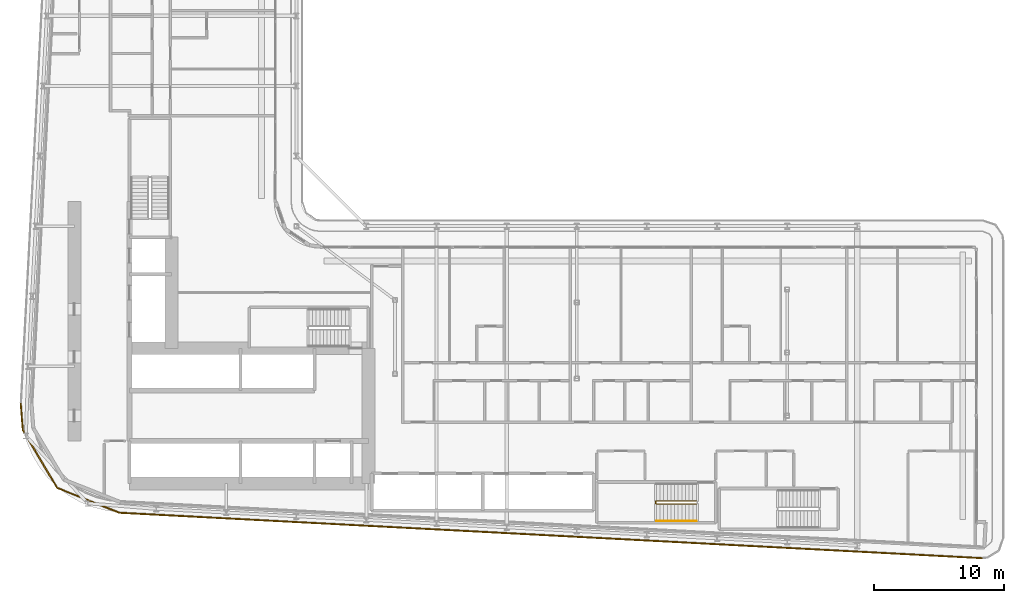
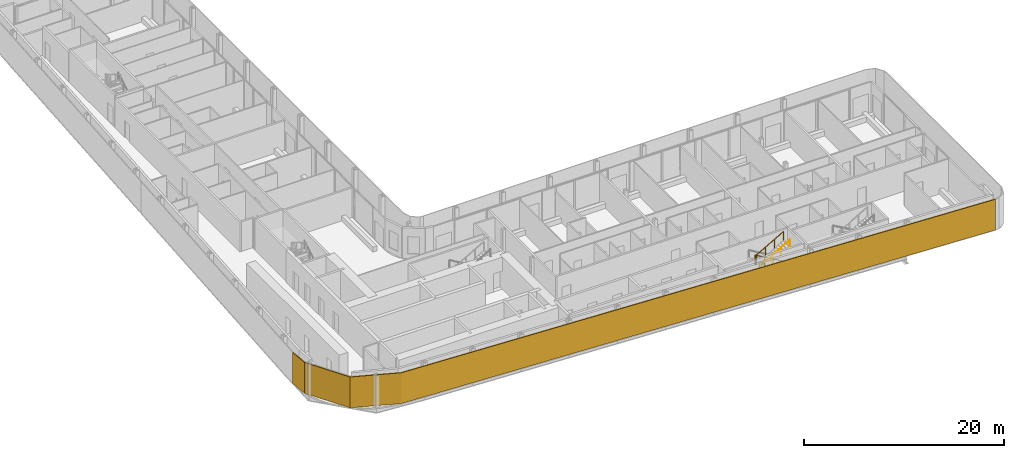
# One storey, part 23 of 27: 2 railings, 1 shading device.
"""IFC4 building model written with IfcOpenShell, lengths in metres."""

from ifc_helpers import new_model, si_unit, direction, frame, origin, origin_2d, place, context, subcontext, project, spatial, polyline, circle, outline, extrude, material, layer, layer_set, type_object, element, save


model = new_model("IFC4")

# Units and contexts
model_context = context("Model", 3, precision=1e-05, world=origin(), true_north=direction((0.0, 1.0)))
body_context = subcontext(model_context, "Body", "Model", "MODEL_VIEW")
ifc_project = project(units=[si_unit("LENGTHUNIT", "METRE"), si_unit("AREAUNIT", "SQUARE_METRE"), si_unit("VOLUMEUNIT", "CUBIC_METRE"), si_unit("PLANEANGLEUNIT", "RADIAN"), si_unit("MASSUNIT", "GRAM", prefix="KILO")], contexts=[model_context])

# Site, building, storey
site_placement = place(None, origin())
site = spatial("IfcSite", under=ifc_project, at=site_placement, CompositionType="ELEMENT")
building_placement = place(site_placement, origin())
building = spatial("IfcBuilding", under=site, at=building_placement, Name="Kheshtan School and Residences Tower", CompositionType="ELEMENT")
storey_placement = place(building_placement, frame((0.0, 0.0, 53.89990234375)))
storey = spatial("IfcBuildingStorey", under=building, at=storey_placement, Name="L12", CompositionType="ELEMENT", Elevation=53.89990234375)

# Shading device
ifc_material_1 = material(Name="Terracotta baguette, extruded ceramic", Category="masonry")
ifc_layer = layer(ifc_material_1, 0.10009765625)
ifc_layer_set = layer_set([ifc_layer], Name="Ledge screen, terracotta baguettes")
shading_device_type = type_object("IfcShadingDeviceType", Name="Ledge screen, terracotta baguettes", PredefinedType="USERDEFINED", material=ifc_layer_set)
shading_device_placement = place(storey_placement, origin())
element("IfcShadingDevice", 1, at=shading_device_placement, inside=storey, type_object=shading_device_type, Name="Screen L12 3", ObjectType="BAGUETTE", PredefinedType="USERDEFINED", context=body_context, shape_type="SweptSolid", body=[
    extrude(outline(polyline([(100.4208984375, 20.0830078125), (33.989013671875, 23.580078125), (29.2119140625, 25.486083984375), (26.583984375, 29.906982421875), (26.419921875, 31.989013671875), (26.320068359375, 31.98095703125), (26.486083984375, 29.8759765625), (29.14306640625, 25.406005859375), (33.967041015625, 23.48095703125), (100.416015625, 19.98291015625), (100.4208984375, 20.0830078125)])), origin(), (0.0, 0.0, 1.0), 3.75),
])

# Railings
ifc_material_2 = material(Name="Stainless steel balustrade", Category="steel")
railing_type_1 = type_object("IfcRailingType", Name="Stair guard 1100", PredefinedType="GUARDRAIL", material=ifc_material_2)
railing_1_placement = place(storey_placement, frame((78.409912109375, 24.449951171875, 0.16259765625)))
element("IfcRailing", 2, at=railing_1_placement, inside=storey, type_object=railing_type_1, Name="L12 ST5 stair guard 1", PredefinedType="GUARDRAIL", context=body_context, shape_type="SweptSolid", body=[
    extrude(circle(Radius=0.02392578125, at=origin_2d()), frame((0.0, 0.0, 1.076171875), z_axis=(-0.864873446163, 0.0, 0.501989962173), x_axis=(0.0, -1.0, 0.0)), (0.0, 0.0, 1.0), 3.56103515625),
    extrude(circle(Radius=0.02392578125, at=origin_2d()), frame((-3.079833984375, 0.0, 2.86376953125), z_axis=(-0.707106781187, -0.707106781187, 0.0), x_axis=(0.707106781187, -0.707106781187, 0.0)), (0.0, 0.0, 1.0), 0.07080078125),
    extrude(circle(Radius=0.02392578125, at=origin_2d()), frame((-3.1298828125, -0.050048828125, 2.86376953125), z_axis=(0.0, -1.0, 0.0), x_axis=(1.0, 0.0, 0.0)), (0.0, 0.0, 1.0), 0.14990234375),
    extrude(circle(Radius=0.02392578125, at=origin_2d()), frame((-3.1298828125, -0.199951171875, 2.86376953125), z_axis=(0.282583949758, -0.282583949758, 0.916674763849), x_axis=(0.707106781187, 0.707106781187, 0.0)), (0.0, 0.0, 1.0), 0.177001953125),
    extrude(circle(Radius=0.02392578125, at=origin_2d()), frame((-3.079833984375, -0.25, 3.02587890625), z_axis=(0.864873446163, 0.0, 0.501989962173), x_axis=(0.0, 1.0, 0.0)), (0.0, 0.0, 1.0), 3.56103515625),
    extrude(circle(Radius=0.02099609375, at=origin_2d()), origin(), (0.0, 0.0, 1.0), 1.052001953125),
    extrude(circle(Radius=0.02099609375, at=origin_2d()), frame((-1.026611328125, 0.0, 0.595947265625)), (0.0, 0.0, 1.0), 1.052001953125),
    extrude(circle(Radius=0.02099609375, at=origin_2d()), frame((-2.05322265625, 0.0, 1.191650390625)), (0.0, 0.0, 1.0), 1.052001953125),
    extrude(circle(Radius=0.02099609375, at=origin_2d()), frame((-3.079833984375, 0.0, 1.78759765625)), (0.0, 0.0, 1.0), 1.052001953125),
    extrude(circle(Radius=0.02099609375, at=origin_2d()), frame((-3.1298828125, -0.050048828125, 1.78759765625)), (0.0, 0.0, 1.0), 1.052001953125),
    extrude(circle(Radius=0.02099609375, at=origin_2d()), frame((-3.1298828125, -0.199951171875, 1.78759765625)), (0.0, 0.0, 1.0), 1.052001953125),
    extrude(circle(Radius=0.02099609375, at=origin_2d()), frame((-3.079833984375, -0.25, 1.949951171875)), (0.0, 0.0, 1.0), 1.052001953125),
    extrude(circle(Radius=0.02099609375, at=origin_2d()), frame((-2.05322265625, -0.25, 2.5458984375)), (0.0, 0.0, 1.0), 1.052001953125),
    extrude(circle(Radius=0.02099609375, at=origin_2d()), frame((-1.026611328125, -0.25, 3.1416015625)), (0.0, 0.0, 1.0), 1.052001953125),
    extrude(circle(Radius=0.02099609375, at=origin_2d()), frame((0.0, -0.25, 3.737548828125)), (0.0, 0.0, 1.0), 1.052001953125),
])
ifc_material_3 = material(Name="Stainless steel handrail", Category="steel")
railing_type_2 = type_object("IfcRailingType", Name="Stair handrail 900", PredefinedType="HANDRAIL", material=ifc_material_3)
railing_2_placement = place(storey_placement, frame((75.330078125, 22.89990234375, 2.112548828125)))
element("IfcRailing", 3, at=railing_2_placement, inside=storey, type_object=railing_type_2, Name="L12 ST5 stair handrail 2", PredefinedType="HANDRAIL", context=body_context, shape_type="SweptSolid", body=[
    extrude(circle(Radius=0.02392578125, at=origin_2d()), frame((0.0, 0.0, 0.8759765625), z_axis=(0.864873446163, 0.0, 0.501989962173), x_axis=(0.0, 1.0, 0.0)), (0.0, 0.0, 1.0), 3.56103515625),
    extrude(circle(Radius=0.02099609375, at=origin_2d()), origin(), (0.0, 0.0, 1.0), 0.851806640625),
    extrude(circle(Radius=0.02099609375, at=origin_2d()), frame((1.026611328125, 0.0, 0.595947265625)), (0.0, 0.0, 1.0), 0.851806640625),
    extrude(circle(Radius=0.02099609375, at=origin_2d()), frame((2.05322265625, 0.0, 1.191650390625)), (0.0, 0.0, 1.0), 0.851806640625),
    extrude(circle(Radius=0.02099609375, at=origin_2d()), frame((3.079833984375, 0.0, 1.78759765625)), (0.0, 0.0, 1.0), 0.851806640625),
])

save(model, "model.ifc")
